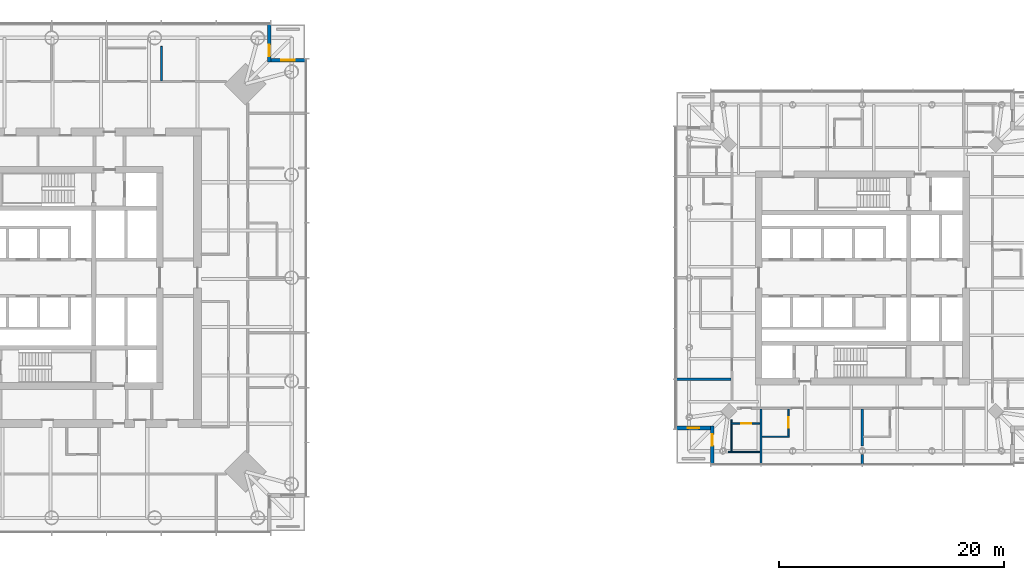
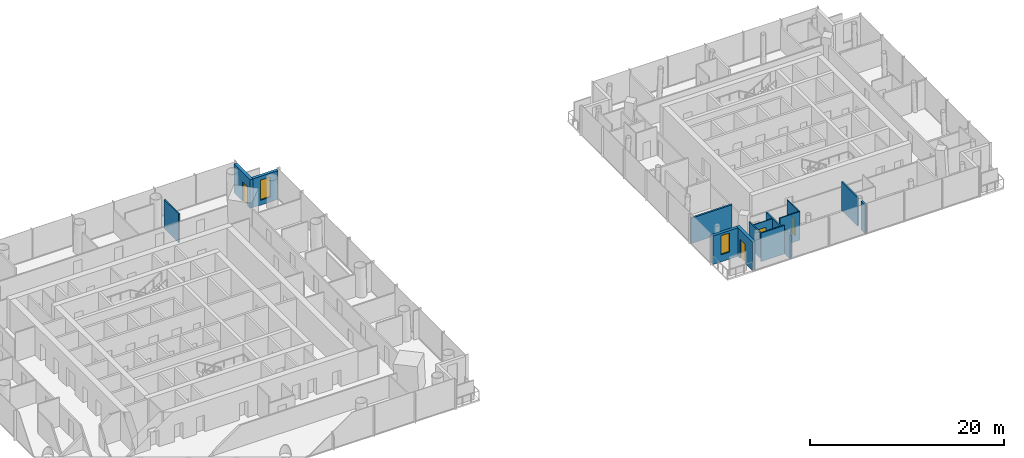
# One storey, part 12 of 18: 14 walls, 4 doors, 2 windows, 6 openings.
"""IFC4 building model written with IfcOpenShell, lengths in metres."""

from ifc_helpers import new_model, si_unit, direction, frame, frame_2d, origin, place, context, subcontext, project, spatial, rectangle, extrude, material, layer, layer_set, type_object, element, fill, save


model = new_model("IFC4")

# Units and contexts
model_context = context("Model", 3, precision=1e-05, world=origin(), true_north=direction((0.0, 1.0)))
body_context = subcontext(model_context, "Body", "Model", "MODEL_VIEW")
ifc_project = project(units=[si_unit("LENGTHUNIT", "METRE"), si_unit("AREAUNIT", "SQUARE_METRE"), si_unit("VOLUMEUNIT", "CUBIC_METRE"), si_unit("PLANEANGLEUNIT", "RADIAN"), si_unit("MASSUNIT", "GRAM", prefix="KILO")], contexts=[model_context])

# Site, building, storey
site_placement = place(None, origin())
site = spatial("IfcSite", under=ifc_project, at=site_placement, CompositionType="ELEMENT")
building_placement = place(site_placement, origin())
building = spatial("IfcBuilding", under=site, at=building_placement, Name="Ostroluk Exchange", CompositionType="ELEMENT")
storey_placement = place(building_placement, frame((0.0, 0.0, 104.60009765625)))
storey = spatial("IfcBuildingStorey", under=building, at=storey_placement, Name="L26", CompositionType="ELEMENT", Elevation=104.60009765625)

# Wall, opening, door
ifc_material_1 = material(Name="Limestone", Category="masonry")
ifc_layer_1 = layer(ifc_material_1, 0.35009765625)
ifc_layer_set_1 = layer_set([ifc_layer_1], Name="Limestone facade wall 350")
wall_type_1 = type_object("IfcWallType", Name="Limestone facade wall 350", PredefinedType="SOLIDWALL", material=ifc_layer_set_1)
wall_1_placement = place(storey_placement, frame((64.324951171875, 68.5, 0.0), z_axis=(0.0, 0.0, 1.0), x_axis=(0.0, -1.0, 0.0)))
wall_1 = element("IfcWall", 1, at=wall_1_placement, inside=storey, type_object=wall_type_1, Name="Office tower NE corner wall L26 a", PredefinedType="SOLIDWALL", context=body_context, shape_type="SweptSolid", body=[
    extrude(rectangle(XDim=3.35009765625, YDim=0.35009765625, at=frame_2d((1.675048828125, 0.0))), origin(), (0.0, 0.0, 1.0), 3.619873046875),
])
opening_1_placement = place(wall_1_placement, frame((1.800048828125, 0.0, 0.0)))
opening_1 = element("IfcOpeningElement", 2, at=opening_1_placement, cuts=wall_1, Name="Opening D-B1", PredefinedType="OPENING", context=body_context, shape_type="SweptSolid", body=[
    extrude(rectangle(XDim=1.0, YDim=2.39990234375, at=frame_2d((0.5, 1.199951171875))), frame((0.0, 0.18505859375, 0.0), z_axis=(0.0, -1.0, 0.0), x_axis=(1.0, 0.0, 0.0)), (0.0, 0.0, 1.0), 0.3701171875),
])
ifc_material_2 = material(Name="Bronze framed glazed door", Category="aluminium")
door_type_1 = type_object("IfcDoorType", Name="Balcony door 1000 x 2400", OperationType="SINGLE_SWING_LEFT", PredefinedType="DOOR", material=ifc_material_2)
door_1_placement = place(opening_1_placement, origin())
door_1 = element("IfcDoor", 3, at=door_1_placement, inside=storey, type_object=door_type_1, Name="Office tower NE balcony door L26", OperationType="SINGLE_SWING_RIGHT", OverallHeight=2.39990234375, OverallWidth=1.0, PredefinedType="DOOR", context=body_context, shape_type="SweptSolid", body=[
    extrude(rectangle(XDim=1.0, YDim=2.39990234375, at=frame_2d((0.5, 1.199951171875))), frame((0.0, 0.02490234375, 0.0), z_axis=(0.0, -1.0, 0.0), x_axis=(1.0, 0.0, 0.0)), (0.0, 0.0, 1.0), 0.050048828125),
])
fill(opening_1, door_1)

# Wall, opening, window
wall_2_placement = place(storey_placement, frame((64.5, 65.324951171875, 0.0), z_axis=(0.0, 0.0, 1.0), x_axis=(1.0, 0.0, 0.0)))
wall_2 = element("IfcWall", 4, at=wall_2_placement, inside=storey, type_object=wall_type_1, Name="Office tower NE corner wall L26 b", PredefinedType="SOLIDWALL", context=body_context, shape_type="SweptSolid", body=[
    extrude(rectangle(XDim=3.0, YDim=0.35009765625, at=frame_2d((1.5, 0.0))), origin(), (0.0, 0.0, 1.0), 3.619873046875),
])
opening_2_placement = place(wall_2_placement, frame((0.89990234375, 0.0, 0.60009765625)))
opening_2 = element("IfcOpeningElement", 5, at=opening_2_placement, cuts=wall_2, Name="Opening WN-L1", PredefinedType="OPENING", context=body_context, shape_type="SweptSolid", body=[
    extrude(rectangle(XDim=1.199951171875, YDim=2.550048828125, at=frame_2d((0.60009765625, 1.27490234375))), frame((0.0, 0.18505859375, 0.0), z_axis=(0.0, -1.0, 0.0), x_axis=(1.0, 0.0, 0.0)), (0.0, 0.0, 1.0), 0.3701171875),
])
ifc_material_3 = material(Name="Laminated clear glass", Category="glass")
window_type_1 = type_object("IfcWindowType", Name="Lancet window 1200 x 2550", PartitioningType="SINGLE_PANEL", PredefinedType="WINDOW", material=ifc_material_3)
window_1_placement = place(opening_2_placement, origin())
window_1 = element("IfcWindow", 6, at=window_1_placement, inside=storey, type_object=window_type_1, Name="Office tower NE lancet window L26", OverallHeight=2.550048828125, OverallWidth=1.199951171875, PartitioningType="SINGLE_PANEL", PredefinedType="WINDOW", context=body_context, shape_type="SweptSolid", body=[
    extrude(rectangle(XDim=1.199951171875, YDim=2.550048828125, at=frame_2d((0.60009765625, 1.27490234375))), frame((0.0, 0.030029296875, 0.0), z_axis=(0.0, -1.0, 0.0), x_axis=(1.0, 0.0, 0.0)), (0.0, 0.0, 1.0), 0.06005859375),
])
fill(opening_2, window_1)

# Wall, opening, door
wall_3_placement = place(storey_placement, frame((103.675048828125, 29.5, 0.0), z_axis=(0.0, 0.0, 1.0), x_axis=(0.0, 1.0, 0.0)))
wall_3 = element("IfcWall", 7, at=wall_3_placement, inside=storey, type_object=wall_type_1, Name="Hotel tower SW corner wall L26 a", PredefinedType="SOLIDWALL", context=body_context, shape_type="SweptSolid", body=[
    extrude(rectangle(XDim=3.35009765625, YDim=0.35009765625, at=frame_2d((1.675048828125, 0.0))), origin(), (0.0, 0.0, 1.0), 3.599853515625),
])
opening_3_placement = place(wall_3_placement, frame((1.60009765625, 0.0, 0.0)))
opening_3 = element("IfcOpeningElement", 8, at=opening_3_placement, cuts=wall_3, Name="Opening D-B1", PredefinedType="OPENING", context=body_context, shape_type="SweptSolid", body=[
    extrude(rectangle(XDim=1.0, YDim=2.39990234375, at=frame_2d((0.5, 1.199951171875))), frame((0.0, 0.18505859375, 0.0), z_axis=(0.0, -1.0, 0.0), x_axis=(1.0, 0.0, 0.0)), (0.0, 0.0, 1.0), 0.3701171875),
])
door_2_placement = place(opening_3_placement, origin())
door_2 = element("IfcDoor", 9, at=door_2_placement, inside=storey, type_object=door_type_1, Name="Hotel tower SW balcony door L26", OperationType="SINGLE_SWING_RIGHT", OverallHeight=2.39990234375, OverallWidth=1.0, PredefinedType="DOOR", context=body_context, shape_type="SweptSolid", body=[
    extrude(rectangle(XDim=1.0, YDim=2.39990234375, at=frame_2d((0.5, 1.199951171875))), frame((0.0, 0.02490234375, 0.0), z_axis=(0.0, -1.0, 0.0), x_axis=(1.0, 0.0, 0.0)), (0.0, 0.0, 1.0), 0.050048828125),
])
fill(opening_3, door_2)

# Wall, opening, window
wall_4_placement = place(storey_placement, frame((103.5, 32.675048828125, 0.0), z_axis=(0.0, 0.0, 1.0), x_axis=(-1.0, 0.0, 0.0)))
wall_4 = element("IfcWall", 10, at=wall_4_placement, inside=storey, type_object=wall_type_1, Name="Hotel tower SW corner wall L26 b", PredefinedType="SOLIDWALL", context=body_context, shape_type="SweptSolid", body=[
    extrude(rectangle(XDim=3.0, YDim=0.35009765625, at=frame_2d((1.5, 0.0))), origin(), (0.0, 0.0, 1.0), 3.599853515625),
])
opening_4_placement = place(wall_4_placement, frame((1.0, 0.0, 0.89990234375)))
opening_4 = element("IfcOpeningElement", 11, at=opening_4_placement, cuts=wall_4, Name="Opening WN-L3", PredefinedType="OPENING", context=body_context, shape_type="SweptSolid", body=[
    extrude(rectangle(XDim=1.0, YDim=2.39990234375, at=frame_2d((0.5, 1.199951171875))), frame((0.0, 0.18505859375, 0.0), z_axis=(0.0, -1.0, 0.0), x_axis=(1.0, 0.0, 0.0)), (0.0, 0.0, 1.0), 0.3701171875),
])
ifc_material_4 = material(Name="Laminated clear glass", Category="glass")
window_type_2 = type_object("IfcWindowType", Name="Hotel lancet window 1000 x 2400", PartitioningType="SINGLE_PANEL", PredefinedType="WINDOW", material=ifc_material_4)
window_2_placement = place(opening_4_placement, origin())
window_2 = element("IfcWindow", 12, at=window_2_placement, inside=storey, type_object=window_type_2, Name="Hotel tower SW lancet window L26", OverallHeight=2.39990234375, OverallWidth=1.0, PartitioningType="SINGLE_PANEL", PredefinedType="WINDOW", context=body_context, shape_type="SweptSolid", body=[
    extrude(rectangle(XDim=1.0, YDim=2.39990234375, at=frame_2d((0.5, 1.199951171875))), frame((0.0, 0.030029296875, 0.0), z_axis=(0.0, -1.0, 0.0), x_axis=(1.0, 0.0, 0.0)), (0.0, 0.0, 1.0), 0.06005859375),
])
fill(opening_4, window_2)

# Wall, opening, door
ifc_material_5 = material(Name="Gypsum plasterboard partition, moisture resistant", Category="gypsum")
ifc_layer_2 = layer(ifc_material_5, 0.1201171875)
ifc_layer_set_2 = layer_set([ifc_layer_2], Name="Plasterboard en-suite wall 120")
wall_type_2 = type_object("IfcWallType", Name="Plasterboard en-suite wall 120", PredefinedType="PARTITIONING", material=ifc_layer_set_2)
wall_5_placement = place(storey_placement, frame((107.89990234375, 33.050048828125, 0.0), z_axis=(0.0, 0.0, 1.0), x_axis=(-1.0, 0.0, 0.0)))
wall_5 = element("IfcWall", 13, at=wall_5_placement, inside=storey, type_object=wall_type_2, Name="En-suite wall", PredefinedType="PARTITIONING", context=body_context, shape_type="SweptSolid", body=[
    extrude(rectangle(XDim=2.579833984375, YDim=0.1201171875, at=frame_2d((1.2900390625, 0.0))), origin(), (0.0, 0.0, 1.0), 2.89990234375),
])
opening_5_placement = place(wall_5_placement, frame((0.75, 0.0, 0.0)))
opening_5 = element("IfcOpeningElement", 14, at=opening_5_placement, cuts=wall_5, Name="Opening D-02", PredefinedType="OPENING", context=body_context, shape_type="SweptSolid", body=[
    extrude(rectangle(XDim=0.89990234375, YDim=2.10009765625, at=frame_2d((0.449951171875, 1.050048828125))), frame((0.0, 0.070068359375, 0.0), z_axis=(0.0, -1.0, 0.0), x_axis=(1.0, 0.0, 0.0)), (0.0, 0.0, 1.0), 0.14013671875),
])
ifc_material_6 = material(Name="Timber", Category="wood")
door_type_2 = type_object("IfcDoorType", Name="En-suite door 900 x 2100", OperationType="SINGLE_SWING_LEFT", PredefinedType="DOOR", material=ifc_material_6)
door_3_placement = place(opening_5_placement, origin())
door_3 = element("IfcDoor", 15, at=door_3_placement, inside=storey, type_object=door_type_2, Name="En-suite door 2607", OperationType="SINGLE_SWING_LEFT", OverallHeight=2.10009765625, OverallWidth=0.89990234375, PredefinedType="DOOR", context=body_context, shape_type="SweptSolid", body=[
    extrude(rectangle(XDim=0.89990234375, YDim=2.10009765625, at=frame_2d((0.449951171875, 1.050048828125))), frame((0.0, 0.02490234375, 0.0), z_axis=(0.0, -1.0, 0.0), x_axis=(1.0, 0.0, 0.0)), (0.0, 0.0, 1.0), 0.050048828125),
])
fill(opening_5, door_3)

# Walls
wall_6_placement = place(storey_placement, frame((107.89990234375, 30.530029296875, 0.0), z_axis=(0.0, 0.0, 1.0), x_axis=(-1.0, 0.0, 0.0)))
element("IfcWall", 16, at=wall_6_placement, inside=storey, type_object=wall_type_2, Name="En-suite wall", PredefinedType="PARTITIONING", context=body_context, shape_type="SweptSolid", body=[
    extrude(rectangle(XDim=2.809814453125, YDim=0.1201171875, at=frame_2d((1.40478515625, 0.0))), origin(), (0.0, 0.0, 1.0), 3.599853515625),
])
wall_7_placement = place(storey_placement, frame((105.3798828125, 33.396240234375, 0.0), z_axis=(0.0, 0.0, 1.0), x_axis=(0.0, -1.0, 0.0)))
element("IfcWall", 17, at=wall_7_placement, inside=storey, type_object=wall_type_2, Name="En-suite wall", PredefinedType="PARTITIONING", context=body_context, shape_type="SweptSolid", body=[
    extrude(rectangle(XDim=2.80615234375, YDim=0.1201171875, at=frame_2d((1.403076171875, 0.0))), origin(), (0.0, 0.0, 1.0), 3.199951171875),
])
wall_8_placement = place(storey_placement, frame((108.10009765625, 31.889892578125, 0.0), z_axis=(0.0, 0.0, 1.0), x_axis=(1.0, 0.0, 0.0)))
element("IfcWall", 18, at=wall_8_placement, inside=storey, type_object=wall_type_2, Name="En-suite wall", PredefinedType="PARTITIONING", context=body_context, shape_type="SweptSolid", body=[
    extrude(rectangle(XDim=2.419921875, YDim=0.1201171875, at=frame_2d((1.2099609375, 0.0))), origin(), (0.0, 0.0, 1.0), 3.599853515625),
])

# Wall, opening, door
wall_9_placement = place(storey_placement, frame((110.4599609375, 34.35009765625, 0.0), z_axis=(0.0, 0.0, 1.0), x_axis=(0.0, -1.0, 0.0)))
wall_9 = element("IfcWall", 19, at=wall_9_placement, inside=storey, type_object=wall_type_2, Name="En-suite wall", PredefinedType="PARTITIONING", context=body_context, shape_type="SweptSolid", body=[
    extrude(rectangle(XDim=2.400146484375, YDim=0.1201171875, at=frame_2d((1.2001953125, 0.0))), origin(), (0.0, 0.0, 1.0), 3.599853515625),
])
opening_6_placement = place(wall_9_placement, frame((0.75, 0.0, 0.0)))
opening_6 = element("IfcOpeningElement", 20, at=opening_6_placement, cuts=wall_9, Name="Opening D-02", PredefinedType="OPENING", context=body_context, shape_type="SweptSolid", body=[
    extrude(rectangle(XDim=0.89990234375, YDim=2.10009765625, at=frame_2d((0.449951171875, 1.050048828125))), frame((0.0, 0.070068359375, 0.0), z_axis=(0.0, -1.0, 0.0), x_axis=(1.0, 0.0, 0.0)), (0.0, 0.0, 1.0), 0.14013671875),
])
door_4_placement = place(opening_6_placement, origin())
door_4 = element("IfcDoor", 21, at=door_4_placement, inside=storey, type_object=door_type_2, Name="En-suite door 2608", OperationType="SINGLE_SWING_LEFT", OverallHeight=2.10009765625, OverallWidth=0.89990234375, PredefinedType="DOOR", context=body_context, shape_type="SweptSolid", body=[
    extrude(rectangle(XDim=0.89990234375, YDim=2.10009765625, at=frame_2d((0.449951171875, 1.050048828125))), frame((0.0, 0.02490234375, 0.0), z_axis=(0.0, -1.0, 0.0), x_axis=(1.0, 0.0, 0.0)), (0.0, 0.0, 1.0), 0.050048828125),
])
fill(opening_6, door_4)

# Walls
ifc_material_7 = material(Name="Gypsum plasterboard partition", Category="gypsum")
ifc_layer_3 = layer(ifc_material_7, 0.14990234375)
ifc_layer_set_3 = layer_set([ifc_layer_3], Name="Plasterboard partition 150")
wall_type_3 = type_object("IfcWallType", Name="Plasterboard partition 150", PredefinedType="PARTITIONING", material=ifc_layer_set_3)
wall_10_placement = place(storey_placement, frame((54.75, 63.5, 0.0), z_axis=(0.0, 0.0, 1.0), x_axis=(0.0, 1.0, 0.0)))
element("IfcWall", 22, at=wall_10_placement, inside=storey, type_object=wall_type_3, Name="Partition", PredefinedType="PARTITIONING", context=body_context, shape_type="SweptSolid", body=[
    extrude(rectangle(XDim=3.06494140625, YDim=0.14990234375, at=frame_2d((1.532470703125, 0.0))), origin(), (0.0, 0.0, 1.0), 3.619873046875),
])
ifc_material_8 = material(Name="Gypsum plasterboard partition", Category="gypsum")
ifc_layer_4 = layer(ifc_material_8, 0.199951171875)
ifc_layer_set_4 = layer_set([ifc_layer_4], Name="Plasterboard party wall 200")
wall_type_4 = type_object("IfcWallType", Name="Plasterboard party wall 200", PredefinedType="PARTITIONING", material=ifc_layer_set_4)
wall_11_placement = place(storey_placement, frame((105.35009765625, 37.0, 0.0), z_axis=(0.0, 0.0, 1.0), x_axis=(-1.0, 0.0, 0.0)))
element("IfcWall", 23, at=wall_11_placement, inside=storey, type_object=wall_type_4, Name="Party wall", PredefinedType="PARTITIONING", context=body_context, shape_type="SweptSolid", body=[
    extrude(rectangle(XDim=4.89013671875, YDim=0.199951171875, at=frame_2d((2.445068359375, 0.0))), origin(), (0.0, 0.0, 1.0), 3.199951171875),
])
wall_12_placement = place(storey_placement, frame((108.0, 34.35009765625, 0.0), z_axis=(0.0, 0.0, 1.0), x_axis=(0.0, -1.0, 0.0)))
element("IfcWall", 24, at=wall_12_placement, inside=storey, type_object=wall_type_4, Name="Party wall", PredefinedType="PARTITIONING", context=body_context, shape_type="SweptSolid", body=[
    extrude(rectangle(XDim=4.89013671875, YDim=0.199951171875, at=frame_2d((2.445068359375, 0.0))), origin(), (0.0, 0.0, 1.0), 2.89990234375),
])
wall_13_placement = place(storey_placement, frame((117.0, 34.35009765625, 0.0), z_axis=(0.0, 0.0, 1.0), x_axis=(0.0, -1.0, 0.0)))
element("IfcWall", 25, at=wall_13_placement, inside=storey, type_object=wall_type_4, Name="Party wall", PredefinedType="PARTITIONING", context=body_context, shape_type="SweptSolid", body=[
    extrude(rectangle(XDim=3.303466796875, YDim=0.199951171875, at=frame_2d((1.65185546875, 0.0))), origin(), (0.0, 0.0, 1.0), 3.599853515625),
])
wall_14_placement = place(storey_placement, frame((117.0, 30.323974609375, 0.0), z_axis=(0.0, 0.0, 1.0), x_axis=(0.0, -1.0, 0.0)))
element("IfcWall", 26, at=wall_14_placement, inside=storey, type_object=wall_type_4, Name="Party wall", PredefinedType="PARTITIONING", context=body_context, shape_type="SweptSolid", body=[
    extrude(rectangle(XDim=0.864013671875, YDim=0.199951171875, at=frame_2d((0.43212890625, 0.0))), origin(), (0.0, 0.0, 1.0), 3.599853515625),
])

save(model, "model.ifc")
